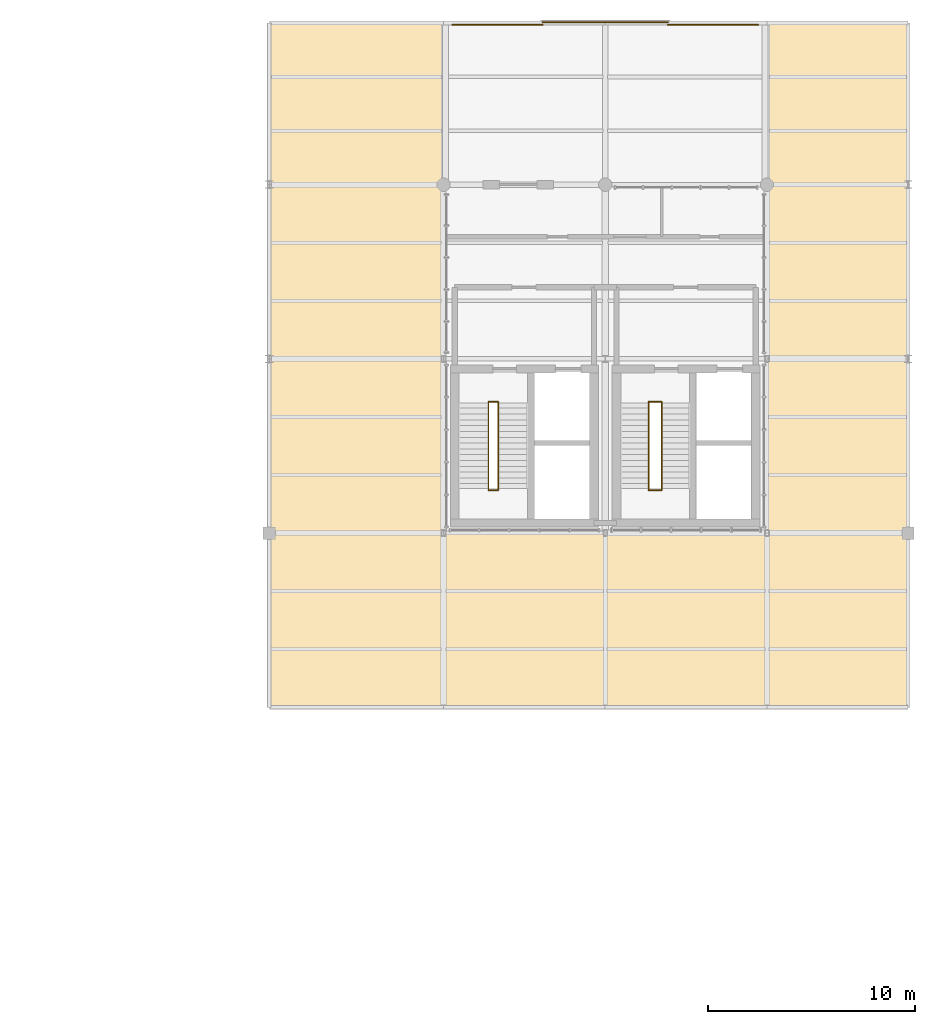
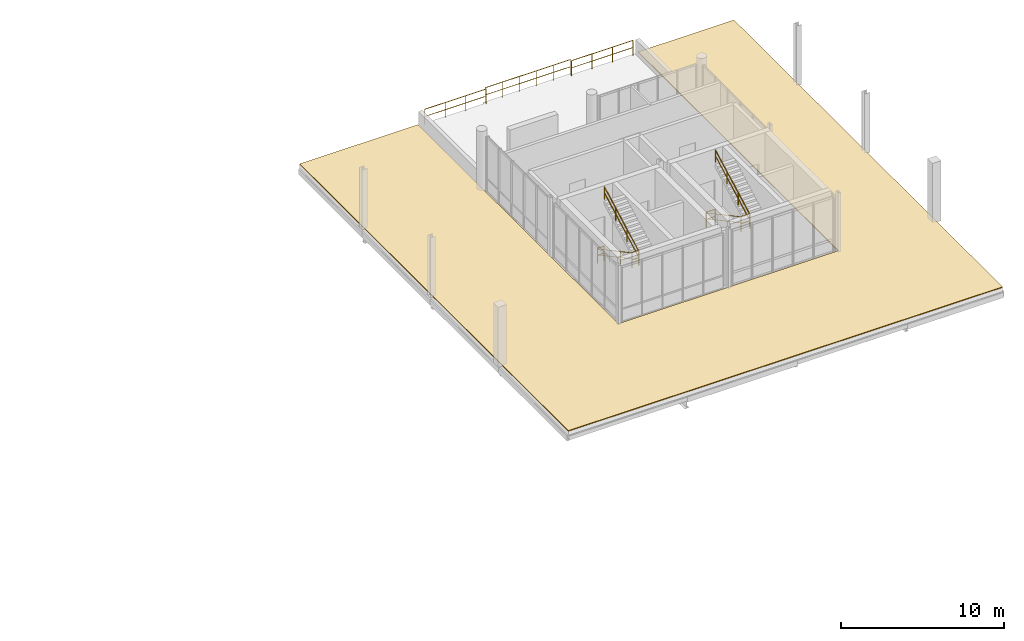
# One storey, part 64 of 66: 11 railings, 1 covering, 1 element without a shape of its own.
"""IFC4 building model written with IfcOpenShell, lengths in metres."""

from ifc_helpers import new_model, si_unit, direction, frame, origin_with_axes, origin_2d_with_axis, place, context, subcontext, project, spatial, polyline, circle, outline, extrude, material, type_object, element, aggregate, save


model = new_model("IFC4")

# Units and contexts
model_context = context("Model", 3, precision=1e-05, world=origin_with_axes(), true_north=direction((0.0, 1.0)))
body_context = subcontext(model_context, "Body", "Model", "MODEL_VIEW")
ifc_project = project(units=[si_unit("LENGTHUNIT", "METRE"), si_unit("AREAUNIT", "SQUARE_METRE"), si_unit("VOLUMEUNIT", "CUBIC_METRE"), si_unit("PLANEANGLEUNIT", "RADIAN"), si_unit("MASSUNIT", "GRAM", prefix="KILO"), si_unit("THERMODYNAMICTEMPERATUREUNIT", "KELVIN")], contexts=[model_context])

# Site, building, storey
site_placement = place(None, origin_with_axes())
site = spatial("IfcSite", under=ifc_project, at=site_placement, CompositionType="ELEMENT")
building_placement = place(site_placement, origin_with_axes())
building = spatial("IfcBuilding", under=site, at=building_placement, Name="Montbau Bow Law Courts", CompositionType="ELEMENT")
storey_placement = place(building_placement, frame((0.0, 0.0, 34.5), z_axis=(0.0, 0.0, 1.0), x_axis=(1.0, 0.0, 0.0)))
storey = spatial("IfcBuildingStorey", under=building, at=storey_placement, Name="L07", CompositionType="ELEMENT", Elevation=34.5)

# Roof, covering
ifc_material_1 = material(Name="Insulated Inverted Membrane Roof", Category="other")
roof_type = type_object("IfcRoofType", Name="RF-FL-01", PredefinedType="FLAT_ROOF", material=ifc_material_1)
roof_placement = place(None, frame((138.6, 78.0, 34.5), z_axis=(0.0, 0.0, 1.0), x_axis=(1.0, 0.0, 0.0)))
roof = element("IfcRoof", 1, at=roof_placement, inside=storey, type_object=roof_type, Name="ROOF-LID-L07-22:rof_0027", PredefinedType="FLAT_ROOF")
ifc_material_2 = material(Name="Standing-Seam Pre-Weathered Zinc Roofing Membrane", Category="steel")
covering_type = type_object("IfcCoveringType", Name="CV-ROF-01", PredefinedType="ROOFING", material=ifc_material_2)
covering_placement = place(None, frame((0.0, 0.0, 34.5), z_axis=(0.0, 0.0, 1.0), x_axis=(1.0, 0.0, 0.0)))
covering = element("IfcCovering", 2, at=covering_placement, type_object=covering_type, Name="CVR-LID-L07-22:cov_0027", PredefinedType="ROOFING", context=body_context, shape_type="SweptSolid", body=[
    extrude(outline(polyline([(146.996, 111.0), (146.996, 86.396), (162.604, 86.396), (162.604, 111.0), (169.4, 111.0), (169.4, 78.0), (138.6, 78.0), (138.6, 111.0), (146.996, 111.0)])), origin_with_axes(), (0.0, 0.0, 1.0), 0.06),
])
aggregate(roof, [covering])

# Railings
ifc_material_3 = material(Name="Architectural Bronze-Finished Steel Stair Guard", Category="steel")
railing_type_1 = type_object("IfcRailingType", Name="RL-GRD-1100", PredefinedType="GUARDRAIL", material=ifc_material_3)
railing_1_placement = place(None, origin_with_axes())
element("IfcRailing", 3, at=railing_1_placement, inside=storey, type_object=railing_type_1, Name="SG-ST-P2-L07-ML:rlg_0192", PredefinedType="GUARDRAIL", context=body_context, shape_type="SweptSolid", body=[
    extrude(circle(Radius=0.0225, at=origin_2d_with_axis()), frame((149.17, 88.47, 37.852), z_axis=(1.0, 0.0, 0.0), x_axis=(0.0, 0.0, 1.0)), (0.0, 0.0, 1.0), 0.47),
    extrude(circle(Radius=0.02025, at=origin_2d_with_axis()), frame((149.17, 88.47, 37.322), z_axis=(1.0, 0.0, 0.0), x_axis=(0.0, 0.0, 1.0)), (0.0, 0.0, 1.0), 0.47),
    extrude(circle(Radius=0.02025, at=origin_2d_with_axis()), frame((149.17, 88.47, 36.75), z_axis=(0.0, 0.0, 1.0), x_axis=(1.0, 0.0, 0.0)), (0.0, 0.0, 1.0), 1.07525),
    extrude(circle(Radius=0.02025, at=origin_2d_with_axis()), frame((149.64, 88.47, 36.75), z_axis=(0.0, 0.0, 1.0), x_axis=(1.0, 0.0, 0.0)), (0.0, 0.0, 1.0), 1.07525),
])
railing_2_placement = place(None, origin_with_axes())
element("IfcRailing", 4, at=railing_2_placement, inside=storey, type_object=railing_type_1, Name="SG-ST-P2-L07-BL:rlg_0193", PredefinedType="GUARDRAIL", context=body_context, shape_type="SweptSolid", body=[
    extrude(circle(Radius=0.0225, at=origin_2d_with_axis()), frame((149.17, 92.73, 35.602), z_axis=(1.0, 0.0, 0.0), x_axis=(0.0, 0.0, 1.0)), (0.0, 0.0, 1.0), 0.47),
    extrude(circle(Radius=0.02025, at=origin_2d_with_axis()), frame((149.17, 92.73, 35.072), z_axis=(1.0, 0.0, 0.0), x_axis=(0.0, 0.0, 1.0)), (0.0, 0.0, 1.0), 0.47),
    extrude(circle(Radius=0.02025, at=origin_2d_with_axis()), frame((149.17, 92.73, 34.5), z_axis=(0.0, 0.0, 1.0), x_axis=(1.0, 0.0, 0.0)), (0.0, 0.0, 1.0), 1.07525),
    extrude(circle(Radius=0.02025, at=origin_2d_with_axis()), frame((149.64, 92.73, 34.5), z_axis=(0.0, 0.0, 1.0), x_axis=(1.0, 0.0, 0.0)), (0.0, 0.0, 1.0), 1.07525),
])
railing_3_placement = place(None, origin_with_axes())
element("IfcRailing", 5, at=railing_3_placement, inside=storey, type_object=railing_type_1, Name="SG-ST-J2-L07-ML:rlg_0235", PredefinedType="GUARDRAIL", context=body_context, shape_type="SweptSolid", body=[
    extrude(circle(Radius=0.0225, at=origin_2d_with_axis()), frame((156.89, 88.47, 37.852), z_axis=(1.0, 0.0, 0.0), x_axis=(0.0, 0.0, 1.0)), (0.0, 0.0, 1.0), 0.63),
    extrude(circle(Radius=0.02025, at=origin_2d_with_axis()), frame((156.89, 88.47, 37.322), z_axis=(1.0, 0.0, 0.0), x_axis=(0.0, 0.0, 1.0)), (0.0, 0.0, 1.0), 0.63),
    extrude(circle(Radius=0.02025, at=origin_2d_with_axis()), frame((156.89, 88.47, 36.75), z_axis=(0.0, 0.0, 1.0), x_axis=(1.0, 0.0, 0.0)), (0.0, 0.0, 1.0), 1.07525),
    extrude(circle(Radius=0.02025, at=origin_2d_with_axis()), frame((157.52, 88.47, 36.75), z_axis=(0.0, 0.0, 1.0), x_axis=(1.0, 0.0, 0.0)), (0.0, 0.0, 1.0), 1.07525),
])
railing_4_placement = place(None, origin_with_axes())
element("IfcRailing", 6, at=railing_4_placement, inside=storey, type_object=railing_type_1, Name="SG-ST-J2-L07-BL:rlg_0236", PredefinedType="GUARDRAIL", context=body_context, shape_type="SweptSolid", body=[
    extrude(circle(Radius=0.0225, at=origin_2d_with_axis()), frame((156.89, 92.73, 35.602), z_axis=(1.0, 0.0, 0.0), x_axis=(0.0, 0.0, 1.0)), (0.0, 0.0, 1.0), 0.63),
    extrude(circle(Radius=0.02025, at=origin_2d_with_axis()), frame((156.89, 92.73, 35.072), z_axis=(1.0, 0.0, 0.0), x_axis=(0.0, 0.0, 1.0)), (0.0, 0.0, 1.0), 0.63),
    extrude(circle(Radius=0.02025, at=origin_2d_with_axis()), frame((156.89, 92.73, 34.5), z_axis=(0.0, 0.0, 1.0), x_axis=(1.0, 0.0, 0.0)), (0.0, 0.0, 1.0), 1.07525),
    extrude(circle(Radius=0.02025, at=origin_2d_with_axis()), frame((157.52, 92.73, 34.5), z_axis=(0.0, 0.0, 1.0), x_axis=(1.0, 0.0, 0.0)), (0.0, 0.0, 1.0), 1.07525),
])
ifc_material_4 = material(Name="Brushed Stainless Steel AISI 316L Guardrail", Category="steel")
railing_type_2 = type_object("IfcRailingType", Name="RL-GRD-1120", PredefinedType="GUARDRAIL", material=ifc_material_4)
railing_5_placement = place(None, origin_with_axes())
element("IfcRailing", 7, at=railing_5_placement, inside=storey, type_object=railing_type_2, Name="GRD-TER-L07-V5-2:rlg_0025", PredefinedType="GUARDRAIL", context=body_context, shape_type="SweptSolid", body=[
    extrude(circle(Radius=0.025, at=origin_2d_with_axis()), frame((147.416, 110.9, 35.622), z_axis=(1.0, 0.0, 0.0), x_axis=(0.0, 0.0, 1.0)), (0.0, 0.0, 1.0), 4.364),
    extrude(circle(Radius=0.022500000000000003, at=origin_2d_with_axis()), frame((147.416, 110.9, 35.0824), z_axis=(1.0, 0.0, 0.0), x_axis=(0.0, 0.0, 1.0)), (0.0, 0.0, 1.0), 4.364),
    extrude(circle(Radius=0.022500000000000003, at=origin_2d_with_axis()), frame((147.416, 110.9, 34.5), z_axis=(0.0, 0.0, 1.0), x_axis=(1.0, 0.0, 0.0)), (0.0, 0.0, 1.0), 1.0925),
    extrude(circle(Radius=0.022500000000000003, at=origin_2d_with_axis()), frame((148.870667, 110.9, 34.5), z_axis=(0.0, 0.0, 1.0), x_axis=(1.0, 0.0, 0.0)), (0.0, 0.0, 1.0), 1.0925),
    extrude(circle(Radius=0.022500000000000003, at=origin_2d_with_axis()), frame((150.325333, 110.9, 34.5), z_axis=(0.0, 0.0, 1.0), x_axis=(1.0, 0.0, 0.0)), (0.0, 0.0, 1.0), 1.0925),
    extrude(circle(Radius=0.022500000000000003, at=origin_2d_with_axis()), frame((151.78, 110.9, 34.5), z_axis=(0.0, 0.0, 1.0), x_axis=(1.0, 0.0, 0.0)), (0.0, 0.0, 1.0), 1.0925),
])
railing_6_placement = place(None, origin_with_axes())
element("IfcRailing", 8, at=railing_6_placement, inside=storey, type_object=railing_type_2, Name="GRD-TER-L07-V5-4:rlg_0026", PredefinedType="GUARDRAIL", context=body_context, shape_type="SweptSolid", body=[
    extrude(circle(Radius=0.025, at=origin_2d_with_axis()), frame((151.78, 111.04, 35.622), z_axis=(1.0, 0.0, 0.0), x_axis=(0.0, 0.0, 1.0)), (0.0, 0.0, 1.0), 6.04),
    extrude(circle(Radius=0.022500000000000003, at=origin_2d_with_axis()), frame((151.78, 111.04, 35.0824), z_axis=(1.0, 0.0, 0.0), x_axis=(0.0, 0.0, 1.0)), (0.0, 0.0, 1.0), 6.04),
    extrude(circle(Radius=0.022500000000000003, at=origin_2d_with_axis()), frame((151.78, 111.04, 34.5), z_axis=(0.0, 0.0, 1.0), x_axis=(1.0, 0.0, 0.0)), (0.0, 0.0, 1.0), 1.0925),
    extrude(circle(Radius=0.022500000000000003, at=origin_2d_with_axis()), frame((152.988, 111.04, 34.5), z_axis=(0.0, 0.0, 1.0), x_axis=(1.0, 0.0, 0.0)), (0.0, 0.0, 1.0), 1.0925),
    extrude(circle(Radius=0.022500000000000003, at=origin_2d_with_axis()), frame((154.196, 111.04, 34.5), z_axis=(0.0, 0.0, 1.0), x_axis=(1.0, 0.0, 0.0)), (0.0, 0.0, 1.0), 1.0925),
    extrude(circle(Radius=0.022500000000000003, at=origin_2d_with_axis()), frame((155.404, 111.04, 34.5), z_axis=(0.0, 0.0, 1.0), x_axis=(1.0, 0.0, 0.0)), (0.0, 0.0, 1.0), 1.0925),
    extrude(circle(Radius=0.022500000000000003, at=origin_2d_with_axis()), frame((156.612, 111.04, 34.5), z_axis=(0.0, 0.0, 1.0), x_axis=(1.0, 0.0, 0.0)), (0.0, 0.0, 1.0), 1.0925),
    extrude(circle(Radius=0.022500000000000003, at=origin_2d_with_axis()), frame((157.82, 111.04, 34.5), z_axis=(0.0, 0.0, 1.0), x_axis=(1.0, 0.0, 0.0)), (0.0, 0.0, 1.0), 1.0925),
])
railing_7_placement = place(None, origin_with_axes())
element("IfcRailing", 9, at=railing_7_placement, inside=storey, type_object=railing_type_2, Name="GRD-TER-L07-V5-6:rlg_0027", PredefinedType="GUARDRAIL", context=body_context, shape_type="SweptSolid", body=[
    extrude(circle(Radius=0.025, at=origin_2d_with_axis()), frame((157.82, 110.9, 35.622), z_axis=(1.0, 0.0, 0.0), x_axis=(0.0, 0.0, 1.0)), (0.0, 0.0, 1.0), 4.364),
    extrude(circle(Radius=0.022500000000000003, at=origin_2d_with_axis()), frame((157.82, 110.9, 35.0824), z_axis=(1.0, 0.0, 0.0), x_axis=(0.0, 0.0, 1.0)), (0.0, 0.0, 1.0), 4.364),
    extrude(circle(Radius=0.022500000000000003, at=origin_2d_with_axis()), frame((157.82, 110.9, 34.5), z_axis=(0.0, 0.0, 1.0), x_axis=(1.0, 0.0, 0.0)), (0.0, 0.0, 1.0), 1.0925),
    extrude(circle(Radius=0.022500000000000003, at=origin_2d_with_axis()), frame((159.274667, 110.9, 34.5), z_axis=(0.0, 0.0, 1.0), x_axis=(1.0, 0.0, 0.0)), (0.0, 0.0, 1.0), 1.0925),
    extrude(circle(Radius=0.022500000000000003, at=origin_2d_with_axis()), frame((160.729333, 110.9, 34.5), z_axis=(0.0, 0.0, 1.0), x_axis=(1.0, 0.0, 0.0)), (0.0, 0.0, 1.0), 1.0925),
    extrude(circle(Radius=0.022500000000000003, at=origin_2d_with_axis()), frame((162.184, 110.9, 34.5), z_axis=(0.0, 0.0, 1.0), x_axis=(1.0, 0.0, 0.0)), (0.0, 0.0, 1.0), 1.0925),
])
ifc_material_5 = material(Name="White-Oak and Stainless Continuous Stair Handrail", Category="steel")
railing_type_3 = type_object("IfcRailingType", Name="RL-HND-0920", PredefinedType="HANDRAIL", material=ifc_material_5)
railing_8_placement = place(None, origin_with_axes())
element("IfcRailing", 10, at=railing_8_placement, inside=storey, type_object=railing_type_3, Name="HR-ST-P2-L07-1:rlg_0194", PredefinedType="HANDRAIL", context=body_context, shape_type="SweptSolid", body=[
    extrude(circle(Radius=0.021, at=origin_2d_with_axis()), frame((149.17, 92.7, 35.572), z_axis=(0.0, -0.88147997, 0.472221413), x_axis=(0.0, 0.472221413, 0.88147997)), (0.0, 0.0, 1.0), 4.764714),
    extrude(circle(Radius=0.0189, at=origin_2d_with_axis()), frame((149.17, 92.7, 35.1284), z_axis=(0.0, -0.88147997, 0.472221413), x_axis=(0.0, 0.472221413, 0.88147997)), (0.0, 0.0, 1.0), 4.764714),
    extrude(circle(Radius=0.0189, at=origin_2d_with_axis()), frame((149.17, 92.7, 34.65), z_axis=(0.0, 0.0, 1.0), x_axis=(1.0, 0.0, 0.0)), (0.0, 0.0, 1.0), 0.8969),
    extrude(circle(Radius=0.0189, at=origin_2d_with_axis()), frame((149.17, 91.3, 35.4), z_axis=(0.0, 0.0, 1.0), x_axis=(1.0, 0.0, 0.0)), (0.0, 0.0, 1.0), 0.8969),
    extrude(circle(Radius=0.0189, at=origin_2d_with_axis()), frame((149.17, 89.9, 36.15), z_axis=(0.0, 0.0, 1.0), x_axis=(1.0, 0.0, 0.0)), (0.0, 0.0, 1.0), 0.8969),
    extrude(circle(Radius=0.0189, at=origin_2d_with_axis()), frame((149.17, 88.5, 36.9), z_axis=(0.0, 0.0, 1.0), x_axis=(1.0, 0.0, 0.0)), (0.0, 0.0, 1.0), 0.8969),
])
railing_9_placement = place(None, origin_with_axes())
element("IfcRailing", 11, at=railing_9_placement, inside=storey, type_object=railing_type_3, Name="HR-ST-P2-L07-2:rlg_0195", PredefinedType="HANDRAIL", context=body_context, shape_type="SweptSolid", body=[
    extrude(circle(Radius=0.021, at=origin_2d_with_axis()), frame((149.64, 88.5, 37.822), z_axis=(0.0, 0.88147997, 0.472221413), x_axis=(0.0, -0.472221413, 0.88147997)), (0.0, 0.0, 1.0), 4.764714),
    extrude(circle(Radius=0.0189, at=origin_2d_with_axis()), frame((149.64, 88.5, 37.3784), z_axis=(0.0, 0.88147997, 0.472221413), x_axis=(0.0, -0.472221413, 0.88147997)), (0.0, 0.0, 1.0), 4.764714),
    extrude(circle(Radius=0.0189, at=origin_2d_with_axis()), frame((149.64, 88.5, 36.9), z_axis=(0.0, 0.0, 1.0), x_axis=(1.0, 0.0, 0.0)), (0.0, 0.0, 1.0), 0.8969),
    extrude(circle(Radius=0.0189, at=origin_2d_with_axis()), frame((149.64, 89.9, 37.65), z_axis=(0.0, 0.0, 1.0), x_axis=(1.0, 0.0, 0.0)), (0.0, 0.0, 1.0), 0.8969),
    extrude(circle(Radius=0.0189, at=origin_2d_with_axis()), frame((149.64, 91.3, 38.4), z_axis=(0.0, 0.0, 1.0), x_axis=(1.0, 0.0, 0.0)), (0.0, 0.0, 1.0), 0.8969),
    extrude(circle(Radius=0.0189, at=origin_2d_with_axis()), frame((149.64, 92.7, 39.15), z_axis=(0.0, 0.0, 1.0), x_axis=(1.0, 0.0, 0.0)), (0.0, 0.0, 1.0), 0.8969),
])
railing_10_placement = place(None, origin_with_axes())
element("IfcRailing", 12, at=railing_10_placement, inside=storey, type_object=railing_type_3, Name="HR-ST-J2-L07-1:rlg_0237", PredefinedType="HANDRAIL", context=body_context, shape_type="SweptSolid", body=[
    extrude(circle(Radius=0.021, at=origin_2d_with_axis()), frame((156.89, 92.7, 35.572), z_axis=(0.0, -0.88147997, 0.472221413), x_axis=(0.0, 0.472221413, 0.88147997)), (0.0, 0.0, 1.0), 4.764714),
    extrude(circle(Radius=0.0189, at=origin_2d_with_axis()), frame((156.89, 92.7, 35.1284), z_axis=(0.0, -0.88147997, 0.472221413), x_axis=(0.0, 0.472221413, 0.88147997)), (0.0, 0.0, 1.0), 4.764714),
    extrude(circle(Radius=0.0189, at=origin_2d_with_axis()), frame((156.89, 92.7, 34.65), z_axis=(0.0, 0.0, 1.0), x_axis=(1.0, 0.0, 0.0)), (0.0, 0.0, 1.0), 0.8969),
    extrude(circle(Radius=0.0189, at=origin_2d_with_axis()), frame((156.89, 91.3, 35.4), z_axis=(0.0, 0.0, 1.0), x_axis=(1.0, 0.0, 0.0)), (0.0, 0.0, 1.0), 0.8969),
    extrude(circle(Radius=0.0189, at=origin_2d_with_axis()), frame((156.89, 89.9, 36.15), z_axis=(0.0, 0.0, 1.0), x_axis=(1.0, 0.0, 0.0)), (0.0, 0.0, 1.0), 0.8969),
    extrude(circle(Radius=0.0189, at=origin_2d_with_axis()), frame((156.89, 88.5, 36.9), z_axis=(0.0, 0.0, 1.0), x_axis=(1.0, 0.0, 0.0)), (0.0, 0.0, 1.0), 0.8969),
])
railing_11_placement = place(None, origin_with_axes())
element("IfcRailing", 13, at=railing_11_placement, inside=storey, type_object=railing_type_3, Name="HR-ST-J2-L07-2:rlg_0238", PredefinedType="HANDRAIL", context=body_context, shape_type="SweptSolid", body=[
    extrude(circle(Radius=0.021, at=origin_2d_with_axis()), frame((157.52, 88.5, 37.822), z_axis=(0.0, 0.88147997, 0.472221413), x_axis=(0.0, -0.472221413, 0.88147997)), (0.0, 0.0, 1.0), 4.764714),
    extrude(circle(Radius=0.0189, at=origin_2d_with_axis()), frame((157.52, 88.5, 37.3784), z_axis=(0.0, 0.88147997, 0.472221413), x_axis=(0.0, -0.472221413, 0.88147997)), (0.0, 0.0, 1.0), 4.764714),
    extrude(circle(Radius=0.0189, at=origin_2d_with_axis()), frame((157.52, 88.5, 36.9), z_axis=(0.0, 0.0, 1.0), x_axis=(1.0, 0.0, 0.0)), (0.0, 0.0, 1.0), 0.8969),
    extrude(circle(Radius=0.0189, at=origin_2d_with_axis()), frame((157.52, 89.9, 37.65), z_axis=(0.0, 0.0, 1.0), x_axis=(1.0, 0.0, 0.0)), (0.0, 0.0, 1.0), 0.8969),
    extrude(circle(Radius=0.0189, at=origin_2d_with_axis()), frame((157.52, 91.3, 38.4), z_axis=(0.0, 0.0, 1.0), x_axis=(1.0, 0.0, 0.0)), (0.0, 0.0, 1.0), 0.8969),
    extrude(circle(Radius=0.0189, at=origin_2d_with_axis()), frame((157.52, 92.7, 39.15), z_axis=(0.0, 0.0, 1.0), x_axis=(1.0, 0.0, 0.0)), (0.0, 0.0, 1.0), 0.8969),
])

save(model, "model.ifc")
